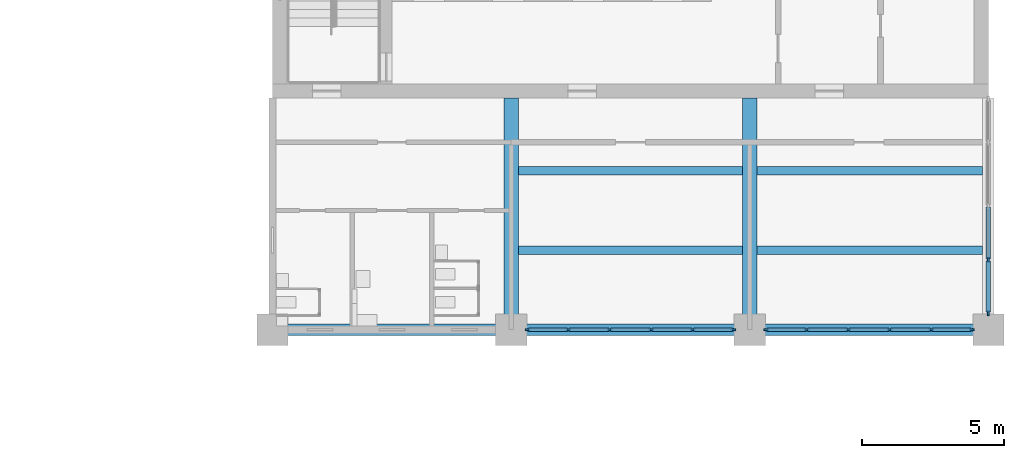
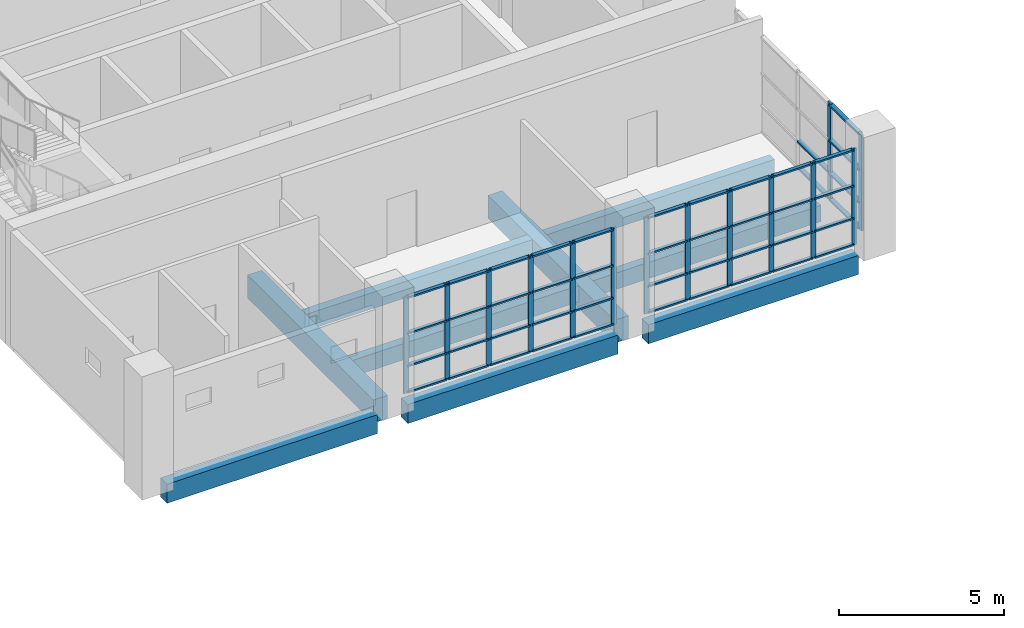
# One storey, part 10 of 64: 60 members, 9 beams, 3 elements without a shape of their own.
"""IFC4 building model written with IfcOpenShell, lengths in metres."""

from ifc_helpers import new_model, si_unit, direction, frame, origin, origin_2d, place, context, subcontext, project, spatial, rectangle, extrude, material, layer, layer_set, material_profile, profile_set, type_object, element, aggregate, save


model = new_model("IFC4")

# Units and contexts
model_context = context("Model", 3, precision=1e-05, world=origin(), true_north=direction((0.0, 1.0)))
body_context = subcontext(model_context, "Body", "Model", "MODEL_VIEW")
ifc_project = project(units=[si_unit("LENGTHUNIT", "METRE"), si_unit("AREAUNIT", "SQUARE_METRE"), si_unit("VOLUMEUNIT", "CUBIC_METRE"), si_unit("PLANEANGLEUNIT", "RADIAN"), si_unit("MASSUNIT", "GRAM", prefix="KILO")], contexts=[model_context])

# Site, building, storey
site_placement = place(None, origin())
site = spatial("IfcSite", under=ifc_project, at=site_placement, CompositionType="ELEMENT")
building_placement = place(site_placement, origin())
building = spatial("IfcBuilding", under=site, at=building_placement, Name="Rulbaag Community and Learning Centre", CompositionType="ELEMENT")
storey_placement = place(building_placement, frame((0.0, 0.0, 5.39990234375)))
storey = spatial("IfcBuildingStorey", under=building, at=storey_placement, Name="L01", CompositionType="ELEMENT", Elevation=5.39990234375)

# Beams
ifc_material_1 = material(Name="Concrete M40", Category="concrete")
ifc_material_profile_1 = material_profile(ifc_material_1, rectangle(XDim=0.39990234375, YDim=0.699951171875, at=origin_2d()), Name="RB400x700")
ifc_profile_set_1 = profile_set([ifc_material_profile_1], Name="Concrete M40")
beam_type_1 = type_object("IfcBeamType", Name="B17 Tower edge beam, lower zone 400x700 Concrete M40", PredefinedType="BEAM", material=ifc_profile_set_1)
beam_placement = place(storey_placement, frame((143.330078125, 84.0, -0.64990234375), z_axis=(1.0, 0.0, 0.0), x_axis=(0.0, 1.0, 0.0)))
element("IfcBeam", 1, at=beam_placement, inside=storey, type_object=beam_type_1, Name="BM-L01-18K-19K", PredefinedType="BEAM", context=body_context, shape_type="SweptSolid", body=[
    extrude(rectangle(XDim=0.39990234375, YDim=0.699951171875, at=origin_2d()), origin(), (0.0, 0.0, 1.0), 7.33984375),
])
for number, where, z_axis, x_axis, name in (
    (2, (151.72998046875, 84.0, -0.64990234375), (1.0, 0.0, 0.0), (0.0, 1.0, 0.0), "BM-L01-19K-20K"),
    (3, (160.1298828125, 84.0, -0.64990234375), (1.0, 0.0, 0.0), (0.0, 1.0, 0.0), "BM-L01-20K-21K"),
):
    element("IfcBeam", number, at=place(storey_placement, frame(where, z_axis=z_axis, x_axis=x_axis)), inside=storey, type_object=beam_type_1, Name=name, PredefinedType="BEAM", context=body_context, shape_type="SweptSolid", body=[
        extrude(rectangle(XDim=0.39990234375, YDim=0.699951171875, at=origin_2d()), origin(), (0.0, 0.0, 1.0), 7.340087890625),
    ])
ifc_material_profile_2 = material_profile(ifc_material_1, rectangle(XDim=0.5, YDim=0.85009765625, at=origin_2d()), Name="RB500x850")
ifc_profile_set_2 = profile_set([ifc_material_profile_2], Name="Concrete M40")
beam_type_2 = type_object("IfcBeamType", Name="B18 Core-framing beam, lower zone 500x850 Concrete M40", PredefinedType="BEAM", material=ifc_profile_set_2)
for number, where, z_axis, x_axis, name in (
    (4, (151.199951171875, 84.530029296875, -0.724853515625), (0.0, 1.0, 0.0), (-1.0, 0.0, 0.0), "BM-L01-19K-19L"),
    (5, (159.60009765625, 84.530029296875, -0.724853515625), (0.0, 1.0, 0.0), (-1.0, 0.0, 0.0), "BM-L01-20K-20L"),
):
    element("IfcBeam", number, at=place(storey_placement, frame(where, z_axis=z_axis, x_axis=x_axis)), inside=storey, type_object=beam_type_2, Name=name, PredefinedType="BEAM", context=body_context, shape_type="SweptSolid", body=[
        extrude(rectangle(XDim=0.5, YDim=0.85009765625, at=origin_2d()), origin(), (0.0, 0.0, 1.0), 7.619873046875),
    ])
ifc_material_profile_3 = material_profile(ifc_material_1, rectangle(XDim=0.300048828125, YDim=0.60009765625, at=origin_2d()), Name="RB300x600")
ifc_profile_set_3 = profile_set([ifc_material_profile_3], Name="Concrete M40")
beam_type_3 = type_object("IfcBeamType", Name="B30 Secondary joist 300x600 Concrete M40", PredefinedType="BEAM", material=ifc_profile_set_3)
for number, where, z_axis, x_axis, name in (
    (6, (151.449951171875, 86.800048828125, -0.599853515625), (1.0, 0.0, 0.0), (0.0, 1.0, 0.0), "BM-JS-L01-19K-1"),
    (7, (151.449951171875, 89.60009765625, -0.599853515625), (1.0, 0.0, 0.0), (0.0, 1.0, 0.0), "BM-JS-L01-19K-2"),
):
    element("IfcBeam", number, at=place(storey_placement, frame(where, z_axis=z_axis, x_axis=x_axis)), inside=storey, type_object=beam_type_3, Name=name, PredefinedType="BEAM", context=body_context, shape_type="SweptSolid", body=[
        extrude(rectangle(XDim=0.300048828125, YDim=0.60009765625, at=origin_2d()), origin(), (0.0, 0.0, 1.0), 7.900146484375),
    ])
for number, where, z_axis, x_axis, name in (
    (8, (159.85009765625, 86.800048828125, -0.599853515625), (1.0, 0.0, 0.0), (0.0, 1.0, 0.0), "BM-JS-L01-20K-1"),
    (9, (159.85009765625, 89.60009765625, -0.599853515625), (1.0, 0.0, 0.0), (0.0, 1.0, 0.0), "BM-JS-L01-20K-2"),
):
    element("IfcBeam", number, at=place(storey_placement, frame(where, z_axis=z_axis, x_axis=x_axis)), inside=storey, type_object=beam_type_3, Name=name, PredefinedType="BEAM", context=body_context, shape_type="SweptSolid", body=[
        extrude(rectangle(XDim=0.300048828125, YDim=0.60009765625, at=origin_2d()), origin(), (0.0, 0.0, 1.0), 7.949951171875),
    ])

# Curtain wall, members
ifc_material_2 = material(Name="Aluminium", Category="aluminium")
ifc_layer_1 = layer(ifc_material_2, 0.14990234375)
ifc_layer_set_1 = layer_set([ifc_layer_1], Name="CW-S")
curtain_wall_type_1 = type_object("IfcCurtainWallType", Name="CW-S", PredefinedType="USERDEFINED", material=ifc_layer_set_1)
curtain_wall_1_placement = place(storey_placement, origin())
curtain_wall_1 = element("IfcCurtainWall", 10, at=curtain_wall_1_placement, inside=storey, type_object=curtain_wall_type_1, Name="GS-L01-01", ObjectType="UNITISED CURTAIN WALL", PredefinedType="USERDEFINED")
ifc_material_3 = material(Name="Aluminium mullion", Category="aluminium")
ifc_material_profile_4 = material_profile(ifc_material_3, rectangle(XDim=0.06005859375, YDim=0.175048828125, at=origin_2d()), Name="AL 60x175")
ifc_profile_set_4 = profile_set([ifc_material_profile_4], Name="Aluminium mullion")
member_type_1 = type_object("IfcMemberType", Name="CW-S-MUL", PredefinedType="MULLION", material=ifc_profile_set_4)
member_1_placement = place(storey_placement, frame((151.780029296875, 84.0, 0.0), z_axis=(0.0, 0.0, 1.0), x_axis=(0.0, 1.0, 0.0)))
member_1 = element("IfcMember", 11, at=member_1_placement, type_object=member_type_1, Name="GS mullion 1", PredefinedType="MULLION", context=body_context, shape_type="SweptSolid", body=[
    extrude(rectangle(XDim=0.06005859375, YDim=0.175048828125, at=origin_2d()), origin(), (0.0, 0.0, 1.0), 3.550048828125),
])
member_2_placement = place(storey_placement, frame((153.2099609375, 84.0, 0.0), z_axis=(0.0, 0.0, 1.0), x_axis=(0.0, 1.0, 0.0)))
member_2 = element("IfcMember", 12, at=member_2_placement, type_object=member_type_1, Name="GS mullion 2", PredefinedType="MULLION", context=body_context, shape_type="SweptSolid", body=[
    extrude(rectangle(XDim=0.06005859375, YDim=0.175048828125, at=origin_2d()), origin(), (0.0, 0.0, 1.0), 3.550048828125),
])
member_3_placement = place(storey_placement, frame((154.669921875, 84.0, 0.0), z_axis=(0.0, 0.0, 1.0), x_axis=(0.0, 1.0, 0.0)))
member_3 = element("IfcMember", 13, at=member_3_placement, type_object=member_type_1, Name="GS mullion 3", PredefinedType="MULLION", context=body_context, shape_type="SweptSolid", body=[
    extrude(rectangle(XDim=0.06005859375, YDim=0.175048828125, at=origin_2d()), origin(), (0.0, 0.0, 1.0), 3.550048828125),
])
member_4_placement = place(storey_placement, frame((156.1298828125, 84.0, 0.0), z_axis=(0.0, 0.0, 1.0), x_axis=(0.0, 1.0, 0.0)))
member_4 = element("IfcMember", 14, at=member_4_placement, type_object=member_type_1, Name="GS mullion 4", PredefinedType="MULLION", context=body_context, shape_type="SweptSolid", body=[
    extrude(rectangle(XDim=0.06005859375, YDim=0.175048828125, at=origin_2d()), origin(), (0.0, 0.0, 1.0), 3.550048828125),
])
member_5_placement = place(storey_placement, frame((157.590087890625, 84.0, 0.0), z_axis=(0.0, 0.0, 1.0), x_axis=(0.0, 1.0, 0.0)))
member_5 = element("IfcMember", 15, at=member_5_placement, type_object=member_type_1, Name="GS mullion 5", PredefinedType="MULLION", context=body_context, shape_type="SweptSolid", body=[
    extrude(rectangle(XDim=0.06005859375, YDim=0.175048828125, at=origin_2d()), origin(), (0.0, 0.0, 1.0), 3.550048828125),
])
member_6_placement = place(storey_placement, frame((159.02001953125, 84.0, 0.0), z_axis=(0.0, 0.0, 1.0), x_axis=(0.0, 1.0, 0.0)))
member_6 = element("IfcMember", 16, at=member_6_placement, type_object=member_type_1, Name="GS mullion 6", PredefinedType="MULLION", context=body_context, shape_type="SweptSolid", body=[
    extrude(rectangle(XDim=0.06005859375, YDim=0.175048828125, at=origin_2d()), origin(), (0.0, 0.0, 1.0), 3.550048828125),
])

curtain_wall_2_placement = place(storey_placement, origin())
curtain_wall_2 = element("IfcCurtainWall", 17, at=curtain_wall_2_placement, inside=storey, type_object=curtain_wall_type_1, Name="GS-L01-02", ObjectType="UNITISED CURTAIN WALL", PredefinedType="USERDEFINED")
member_7_placement = place(storey_placement, frame((160.179931640625, 84.0, 0.0), z_axis=(0.0, 0.0, 1.0), x_axis=(0.0, 1.0, 0.0)))
member_7 = element("IfcMember", 18, at=member_7_placement, type_object=member_type_1, Name="GS mullion 1", PredefinedType="MULLION", context=body_context, shape_type="SweptSolid", body=[
    extrude(rectangle(XDim=0.06005859375, YDim=0.175048828125, at=origin_2d()), origin(), (0.0, 0.0, 1.0), 3.550048828125),
])
member_8_placement = place(storey_placement, frame((161.610107421875, 84.0, 0.0), z_axis=(0.0, 0.0, 1.0), x_axis=(0.0, 1.0, 0.0)))
member_8 = element("IfcMember", 19, at=member_8_placement, type_object=member_type_1, Name="GS mullion 2", PredefinedType="MULLION", context=body_context, shape_type="SweptSolid", body=[
    extrude(rectangle(XDim=0.06005859375, YDim=0.175048828125, at=origin_2d()), origin(), (0.0, 0.0, 1.0), 3.550048828125),
])
member_9_placement = place(storey_placement, frame((163.070068359375, 84.0, 0.0), z_axis=(0.0, 0.0, 1.0), x_axis=(0.0, 1.0, 0.0)))
member_9 = element("IfcMember", 20, at=member_9_placement, type_object=member_type_1, Name="GS mullion 3", PredefinedType="MULLION", context=body_context, shape_type="SweptSolid", body=[
    extrude(rectangle(XDim=0.06005859375, YDim=0.175048828125, at=origin_2d()), origin(), (0.0, 0.0, 1.0), 3.550048828125),
])
member_10_placement = place(storey_placement, frame((164.530029296875, 84.0, 0.0), z_axis=(0.0, 0.0, 1.0), x_axis=(0.0, 1.0, 0.0)))
member_10 = element("IfcMember", 21, at=member_10_placement, type_object=member_type_1, Name="GS mullion 4", PredefinedType="MULLION", context=body_context, shape_type="SweptSolid", body=[
    extrude(rectangle(XDim=0.06005859375, YDim=0.175048828125, at=origin_2d()), origin(), (0.0, 0.0, 1.0), 3.550048828125),
])
member_11_placement = place(storey_placement, frame((165.989990234375, 84.0, 0.0), z_axis=(0.0, 0.0, 1.0), x_axis=(0.0, 1.0, 0.0)))
member_11 = element("IfcMember", 22, at=member_11_placement, type_object=member_type_1, Name="GS mullion 5", PredefinedType="MULLION", context=body_context, shape_type="SweptSolid", body=[
    extrude(rectangle(XDim=0.06005859375, YDim=0.175048828125, at=origin_2d()), origin(), (0.0, 0.0, 1.0), 3.550048828125),
])
member_12_placement = place(storey_placement, frame((167.419921875, 84.0, 0.0), z_axis=(0.0, 0.0, 1.0), x_axis=(0.0, 1.0, 0.0)))
member_12 = element("IfcMember", 23, at=member_12_placement, type_object=member_type_1, Name="GS mullion 6", PredefinedType="MULLION", context=body_context, shape_type="SweptSolid", body=[
    extrude(rectangle(XDim=0.06005859375, YDim=0.175048828125, at=origin_2d()), origin(), (0.0, 0.0, 1.0), 3.550048828125),
])

# Member
ifc_material_4 = material(Name="Aluminium transom", Category="aluminium")
ifc_material_profile_5 = material_profile(ifc_material_4, rectangle(XDim=0.125, YDim=0.06005859375, at=origin_2d()), Name="AL 60x125 T")
ifc_profile_set_5 = profile_set([ifc_material_profile_5], Name="Aluminium transom")
member_type_2 = type_object("IfcMemberType", Name="CW-S-TRN", PredefinedType="USERDEFINED", material=ifc_profile_set_5)
member_13_placement = place(storey_placement, frame((151.81005859375, 84.0, 0.030029296875), z_axis=(1.0, 0.0, 0.0), x_axis=(0.0, 1.0, 0.0)))
member_13 = element("IfcMember", 24, at=member_13_placement, type_object=member_type_2, Name="GS transom 1.1", ObjectType="TRANSOM", PredefinedType="USERDEFINED", context=body_context, shape_type="SweptSolid", body=[
    extrude(rectangle(XDim=0.125, YDim=0.06005859375, at=origin_2d()), origin(), (0.0, 0.0, 1.0), 1.369873046875),
])

member_14_placement = place(storey_placement, frame((151.81005859375, 84.0, 1.0), z_axis=(1.0, 0.0, 0.0), x_axis=(0.0, 1.0, 0.0)))
member_14 = element("IfcMember", 25, at=member_14_placement, type_object=member_type_2, Name="GS transom 1.2", ObjectType="TRANSOM", PredefinedType="USERDEFINED", context=body_context, shape_type="SweptSolid", body=[
    extrude(rectangle(XDim=0.125, YDim=0.06005859375, at=origin_2d()), origin(), (0.0, 0.0, 1.0), 1.369873046875),
])

member_15_placement = place(storey_placement, frame((151.81005859375, 84.0, 2.2001953125), z_axis=(1.0, 0.0, 0.0), x_axis=(0.0, 1.0, 0.0)))
member_15 = element("IfcMember", 26, at=member_15_placement, type_object=member_type_2, Name="GS transom 1.3", ObjectType="TRANSOM", PredefinedType="USERDEFINED", context=body_context, shape_type="SweptSolid", body=[
    extrude(rectangle(XDim=0.125, YDim=0.06005859375, at=origin_2d()), origin(), (0.0, 0.0, 1.0), 1.369873046875),
])

member_16_placement = place(storey_placement, frame((151.81005859375, 84.0, 3.52001953125), z_axis=(1.0, 0.0, 0.0), x_axis=(0.0, 1.0, 0.0)))
member_16 = element("IfcMember", 27, at=member_16_placement, type_object=member_type_2, Name="GS transom 1.4", ObjectType="TRANSOM", PredefinedType="USERDEFINED", context=body_context, shape_type="SweptSolid", body=[
    extrude(rectangle(XDim=0.125, YDim=0.06005859375, at=origin_2d()), origin(), (0.0, 0.0, 1.0), 1.369873046875),
])

member_17_placement = place(storey_placement, frame((153.239990234375, 84.0, 0.030029296875), z_axis=(1.0, 0.0, 0.0), x_axis=(0.0, 1.0, 0.0)))
member_17 = element("IfcMember", 28, at=member_17_placement, type_object=member_type_2, Name="GS transom 2.1", ObjectType="TRANSOM", PredefinedType="USERDEFINED", context=body_context, shape_type="SweptSolid", body=[
    extrude(rectangle(XDim=0.125, YDim=0.06005859375, at=origin_2d()), origin(), (0.0, 0.0, 1.0), 1.39990234375),
])

member_18_placement = place(storey_placement, frame((153.239990234375, 84.0, 1.0), z_axis=(1.0, 0.0, 0.0), x_axis=(0.0, 1.0, 0.0)))
member_18 = element("IfcMember", 29, at=member_18_placement, type_object=member_type_2, Name="GS transom 2.2", ObjectType="TRANSOM", PredefinedType="USERDEFINED", context=body_context, shape_type="SweptSolid", body=[
    extrude(rectangle(XDim=0.125, YDim=0.06005859375, at=origin_2d()), origin(), (0.0, 0.0, 1.0), 1.39990234375),
])

member_19_placement = place(storey_placement, frame((153.239990234375, 84.0, 2.2001953125), z_axis=(1.0, 0.0, 0.0), x_axis=(0.0, 1.0, 0.0)))
member_19 = element("IfcMember", 30, at=member_19_placement, type_object=member_type_2, Name="GS transom 2.3", ObjectType="TRANSOM", PredefinedType="USERDEFINED", context=body_context, shape_type="SweptSolid", body=[
    extrude(rectangle(XDim=0.125, YDim=0.06005859375, at=origin_2d()), origin(), (0.0, 0.0, 1.0), 1.39990234375),
])

member_20_placement = place(storey_placement, frame((153.239990234375, 84.0, 3.52001953125), z_axis=(1.0, 0.0, 0.0), x_axis=(0.0, 1.0, 0.0)))
member_20 = element("IfcMember", 31, at=member_20_placement, type_object=member_type_2, Name="GS transom 2.4", ObjectType="TRANSOM", PredefinedType="USERDEFINED", context=body_context, shape_type="SweptSolid", body=[
    extrude(rectangle(XDim=0.125, YDim=0.06005859375, at=origin_2d()), origin(), (0.0, 0.0, 1.0), 1.39990234375),
])

member_21_placement = place(storey_placement, frame((154.699951171875, 84.0, 0.030029296875), z_axis=(1.0, 0.0, 0.0), x_axis=(0.0, 1.0, 0.0)))
member_21 = element("IfcMember", 32, at=member_21_placement, type_object=member_type_2, Name="GS transom 3.1", ObjectType="TRANSOM", PredefinedType="USERDEFINED", context=body_context, shape_type="SweptSolid", body=[
    extrude(rectangle(XDim=0.125, YDim=0.06005859375, at=origin_2d()), origin(), (0.0, 0.0, 1.0), 1.400146484375),
])

member_22_placement = place(storey_placement, frame((154.699951171875, 84.0, 1.0), z_axis=(1.0, 0.0, 0.0), x_axis=(0.0, 1.0, 0.0)))
member_22 = element("IfcMember", 33, at=member_22_placement, type_object=member_type_2, Name="GS transom 3.2", ObjectType="TRANSOM", PredefinedType="USERDEFINED", context=body_context, shape_type="SweptSolid", body=[
    extrude(rectangle(XDim=0.125, YDim=0.06005859375, at=origin_2d()), origin(), (0.0, 0.0, 1.0), 1.400146484375),
])

member_23_placement = place(storey_placement, frame((154.699951171875, 84.0, 2.2001953125), z_axis=(1.0, 0.0, 0.0), x_axis=(0.0, 1.0, 0.0)))
member_23 = element("IfcMember", 34, at=member_23_placement, type_object=member_type_2, Name="GS transom 3.3", ObjectType="TRANSOM", PredefinedType="USERDEFINED", context=body_context, shape_type="SweptSolid", body=[
    extrude(rectangle(XDim=0.125, YDim=0.06005859375, at=origin_2d()), origin(), (0.0, 0.0, 1.0), 1.400146484375),
])

member_24_placement = place(storey_placement, frame((154.699951171875, 84.0, 3.52001953125), z_axis=(1.0, 0.0, 0.0), x_axis=(0.0, 1.0, 0.0)))
member_24 = element("IfcMember", 35, at=member_24_placement, type_object=member_type_2, Name="GS transom 3.4", ObjectType="TRANSOM", PredefinedType="USERDEFINED", context=body_context, shape_type="SweptSolid", body=[
    extrude(rectangle(XDim=0.125, YDim=0.06005859375, at=origin_2d()), origin(), (0.0, 0.0, 1.0), 1.400146484375),
])

member_25_placement = place(storey_placement, frame((156.159912109375, 84.0, 0.030029296875), z_axis=(1.0, 0.0, 0.0), x_axis=(0.0, 1.0, 0.0)))
member_25 = element("IfcMember", 36, at=member_25_placement, type_object=member_type_2, Name="GS transom 4.1", ObjectType="TRANSOM", PredefinedType="USERDEFINED", context=body_context, shape_type="SweptSolid", body=[
    extrude(rectangle(XDim=0.125, YDim=0.06005859375, at=origin_2d()), origin(), (0.0, 0.0, 1.0), 1.400146484375),
])

member_26_placement = place(storey_placement, frame((156.159912109375, 84.0, 1.0), z_axis=(1.0, 0.0, 0.0), x_axis=(0.0, 1.0, 0.0)))
member_26 = element("IfcMember", 37, at=member_26_placement, type_object=member_type_2, Name="GS transom 4.2", ObjectType="TRANSOM", PredefinedType="USERDEFINED", context=body_context, shape_type="SweptSolid", body=[
    extrude(rectangle(XDim=0.125, YDim=0.06005859375, at=origin_2d()), origin(), (0.0, 0.0, 1.0), 1.400146484375),
])

member_27_placement = place(storey_placement, frame((156.159912109375, 84.0, 2.2001953125), z_axis=(1.0, 0.0, 0.0), x_axis=(0.0, 1.0, 0.0)))
member_27 = element("IfcMember", 38, at=member_27_placement, type_object=member_type_2, Name="GS transom 4.3", ObjectType="TRANSOM", PredefinedType="USERDEFINED", context=body_context, shape_type="SweptSolid", body=[
    extrude(rectangle(XDim=0.125, YDim=0.06005859375, at=origin_2d()), origin(), (0.0, 0.0, 1.0), 1.400146484375),
])

member_28_placement = place(storey_placement, frame((156.159912109375, 84.0, 3.52001953125), z_axis=(1.0, 0.0, 0.0), x_axis=(0.0, 1.0, 0.0)))
member_28 = element("IfcMember", 39, at=member_28_placement, type_object=member_type_2, Name="GS transom 4.4", ObjectType="TRANSOM", PredefinedType="USERDEFINED", context=body_context, shape_type="SweptSolid", body=[
    extrude(rectangle(XDim=0.125, YDim=0.06005859375, at=origin_2d()), origin(), (0.0, 0.0, 1.0), 1.400146484375),
])

member_29_placement = place(storey_placement, frame((157.6201171875, 84.0, 0.030029296875), z_axis=(1.0, 0.0, 0.0), x_axis=(0.0, 1.0, 0.0)))
member_29 = element("IfcMember", 40, at=member_29_placement, type_object=member_type_2, Name="GS transom 5.1", ObjectType="TRANSOM", PredefinedType="USERDEFINED", context=body_context, shape_type="SweptSolid", body=[
    extrude(rectangle(XDim=0.125, YDim=0.06005859375, at=origin_2d()), origin(), (0.0, 0.0, 1.0), 1.369873046875),
])

member_30_placement = place(storey_placement, frame((157.6201171875, 84.0, 1.0), z_axis=(1.0, 0.0, 0.0), x_axis=(0.0, 1.0, 0.0)))
member_30 = element("IfcMember", 41, at=member_30_placement, type_object=member_type_2, Name="GS transom 5.2", ObjectType="TRANSOM", PredefinedType="USERDEFINED", context=body_context, shape_type="SweptSolid", body=[
    extrude(rectangle(XDim=0.125, YDim=0.06005859375, at=origin_2d()), origin(), (0.0, 0.0, 1.0), 1.369873046875),
])

member_31_placement = place(storey_placement, frame((157.6201171875, 84.0, 2.2001953125), z_axis=(1.0, 0.0, 0.0), x_axis=(0.0, 1.0, 0.0)))
member_31 = element("IfcMember", 42, at=member_31_placement, type_object=member_type_2, Name="GS transom 5.3", ObjectType="TRANSOM", PredefinedType="USERDEFINED", context=body_context, shape_type="SweptSolid", body=[
    extrude(rectangle(XDim=0.125, YDim=0.06005859375, at=origin_2d()), origin(), (0.0, 0.0, 1.0), 1.369873046875),
])

member_32_placement = place(storey_placement, frame((157.6201171875, 84.0, 3.52001953125), z_axis=(1.0, 0.0, 0.0), x_axis=(0.0, 1.0, 0.0)))
member_32 = element("IfcMember", 43, at=member_32_placement, type_object=member_type_2, Name="GS transom 5.4", ObjectType="TRANSOM", PredefinedType="USERDEFINED", context=body_context, shape_type="SweptSolid", body=[
    extrude(rectangle(XDim=0.125, YDim=0.06005859375, at=origin_2d()), origin(), (0.0, 0.0, 1.0), 1.369873046875),
])

aggregate(curtain_wall_1, [member_1, member_2, member_3, member_4, member_5, member_6, member_13, member_14, member_15, member_16, member_17, member_18, member_19, member_20, member_21, member_22, member_23, member_24, member_25, member_26, member_27, member_28, member_29, member_30, member_31, member_32])

member_33_placement = place(storey_placement, frame((160.2099609375, 84.0, 0.030029296875), z_axis=(1.0, 0.0, 0.0), x_axis=(0.0, 1.0, 0.0)))
member_33 = element("IfcMember", 44, at=member_33_placement, type_object=member_type_2, Name="GS transom 1.1", ObjectType="TRANSOM", PredefinedType="USERDEFINED", context=body_context, shape_type="SweptSolid", body=[
    extrude(rectangle(XDim=0.125, YDim=0.06005859375, at=origin_2d()), origin(), (0.0, 0.0, 1.0), 1.3701171875),
])

member_34_placement = place(storey_placement, frame((160.2099609375, 84.0, 1.0), z_axis=(1.0, 0.0, 0.0), x_axis=(0.0, 1.0, 0.0)))
member_34 = element("IfcMember", 45, at=member_34_placement, type_object=member_type_2, Name="GS transom 1.2", ObjectType="TRANSOM", PredefinedType="USERDEFINED", context=body_context, shape_type="SweptSolid", body=[
    extrude(rectangle(XDim=0.125, YDim=0.06005859375, at=origin_2d()), origin(), (0.0, 0.0, 1.0), 1.3701171875),
])

member_35_placement = place(storey_placement, frame((160.2099609375, 84.0, 2.2001953125), z_axis=(1.0, 0.0, 0.0), x_axis=(0.0, 1.0, 0.0)))
member_35 = element("IfcMember", 46, at=member_35_placement, type_object=member_type_2, Name="GS transom 1.3", ObjectType="TRANSOM", PredefinedType="USERDEFINED", context=body_context, shape_type="SweptSolid", body=[
    extrude(rectangle(XDim=0.125, YDim=0.06005859375, at=origin_2d()), origin(), (0.0, 0.0, 1.0), 1.3701171875),
])

member_36_placement = place(storey_placement, frame((160.2099609375, 84.0, 3.52001953125), z_axis=(1.0, 0.0, 0.0), x_axis=(0.0, 1.0, 0.0)))
member_36 = element("IfcMember", 47, at=member_36_placement, type_object=member_type_2, Name="GS transom 1.4", ObjectType="TRANSOM", PredefinedType="USERDEFINED", context=body_context, shape_type="SweptSolid", body=[
    extrude(rectangle(XDim=0.125, YDim=0.06005859375, at=origin_2d()), origin(), (0.0, 0.0, 1.0), 1.3701171875),
])

member_37_placement = place(storey_placement, frame((161.639892578125, 84.0, 0.030029296875), z_axis=(1.0, 0.0, 0.0), x_axis=(0.0, 1.0, 0.0)))
member_37 = element("IfcMember", 48, at=member_37_placement, type_object=member_type_2, Name="GS transom 2.1", ObjectType="TRANSOM", PredefinedType="USERDEFINED", context=body_context, shape_type="SweptSolid", body=[
    extrude(rectangle(XDim=0.125, YDim=0.06005859375, at=origin_2d()), origin(), (0.0, 0.0, 1.0), 1.400146484375),
])

member_38_placement = place(storey_placement, frame((161.639892578125, 84.0, 1.0), z_axis=(1.0, 0.0, 0.0), x_axis=(0.0, 1.0, 0.0)))
member_38 = element("IfcMember", 49, at=member_38_placement, type_object=member_type_2, Name="GS transom 2.2", ObjectType="TRANSOM", PredefinedType="USERDEFINED", context=body_context, shape_type="SweptSolid", body=[
    extrude(rectangle(XDim=0.125, YDim=0.06005859375, at=origin_2d()), origin(), (0.0, 0.0, 1.0), 1.400146484375),
])

member_39_placement = place(storey_placement, frame((161.639892578125, 84.0, 2.2001953125), z_axis=(1.0, 0.0, 0.0), x_axis=(0.0, 1.0, 0.0)))
member_39 = element("IfcMember", 50, at=member_39_placement, type_object=member_type_2, Name="GS transom 2.3", ObjectType="TRANSOM", PredefinedType="USERDEFINED", context=body_context, shape_type="SweptSolid", body=[
    extrude(rectangle(XDim=0.125, YDim=0.06005859375, at=origin_2d()), origin(), (0.0, 0.0, 1.0), 1.400146484375),
])

member_40_placement = place(storey_placement, frame((161.639892578125, 84.0, 3.52001953125), z_axis=(1.0, 0.0, 0.0), x_axis=(0.0, 1.0, 0.0)))
member_40 = element("IfcMember", 51, at=member_40_placement, type_object=member_type_2, Name="GS transom 2.4", ObjectType="TRANSOM", PredefinedType="USERDEFINED", context=body_context, shape_type="SweptSolid", body=[
    extrude(rectangle(XDim=0.125, YDim=0.06005859375, at=origin_2d()), origin(), (0.0, 0.0, 1.0), 1.400146484375),
])

member_41_placement = place(storey_placement, frame((163.10009765625, 84.0, 0.030029296875), z_axis=(1.0, 0.0, 0.0), x_axis=(0.0, 1.0, 0.0)))
member_41 = element("IfcMember", 52, at=member_41_placement, type_object=member_type_2, Name="GS transom 3.1", ObjectType="TRANSOM", PredefinedType="USERDEFINED", context=body_context, shape_type="SweptSolid", body=[
    extrude(rectangle(XDim=0.125, YDim=0.06005859375, at=origin_2d()), origin(), (0.0, 0.0, 1.0), 1.39990234375),
])

member_42_placement = place(storey_placement, frame((163.10009765625, 84.0, 1.0), z_axis=(1.0, 0.0, 0.0), x_axis=(0.0, 1.0, 0.0)))
member_42 = element("IfcMember", 53, at=member_42_placement, type_object=member_type_2, Name="GS transom 3.2", ObjectType="TRANSOM", PredefinedType="USERDEFINED", context=body_context, shape_type="SweptSolid", body=[
    extrude(rectangle(XDim=0.125, YDim=0.06005859375, at=origin_2d()), origin(), (0.0, 0.0, 1.0), 1.39990234375),
])

member_43_placement = place(storey_placement, frame((163.10009765625, 84.0, 2.2001953125), z_axis=(1.0, 0.0, 0.0), x_axis=(0.0, 1.0, 0.0)))
member_43 = element("IfcMember", 54, at=member_43_placement, type_object=member_type_2, Name="GS transom 3.3", ObjectType="TRANSOM", PredefinedType="USERDEFINED", context=body_context, shape_type="SweptSolid", body=[
    extrude(rectangle(XDim=0.125, YDim=0.06005859375, at=origin_2d()), origin(), (0.0, 0.0, 1.0), 1.39990234375),
])

member_44_placement = place(storey_placement, frame((163.10009765625, 84.0, 3.52001953125), z_axis=(1.0, 0.0, 0.0), x_axis=(0.0, 1.0, 0.0)))
member_44 = element("IfcMember", 55, at=member_44_placement, type_object=member_type_2, Name="GS transom 3.4", ObjectType="TRANSOM", PredefinedType="USERDEFINED", context=body_context, shape_type="SweptSolid", body=[
    extrude(rectangle(XDim=0.125, YDim=0.06005859375, at=origin_2d()), origin(), (0.0, 0.0, 1.0), 1.39990234375),
])

member_45_placement = place(storey_placement, frame((164.56005859375, 84.0, 0.030029296875), z_axis=(1.0, 0.0, 0.0), x_axis=(0.0, 1.0, 0.0)))
member_45 = element("IfcMember", 56, at=member_45_placement, type_object=member_type_2, Name="GS transom 4.1", ObjectType="TRANSOM", PredefinedType="USERDEFINED", context=body_context, shape_type="SweptSolid", body=[
    extrude(rectangle(XDim=0.125, YDim=0.06005859375, at=origin_2d()), origin(), (0.0, 0.0, 1.0), 1.39990234375),
])

member_46_placement = place(storey_placement, frame((164.56005859375, 84.0, 1.0), z_axis=(1.0, 0.0, 0.0), x_axis=(0.0, 1.0, 0.0)))
member_46 = element("IfcMember", 57, at=member_46_placement, type_object=member_type_2, Name="GS transom 4.2", ObjectType="TRANSOM", PredefinedType="USERDEFINED", context=body_context, shape_type="SweptSolid", body=[
    extrude(rectangle(XDim=0.125, YDim=0.06005859375, at=origin_2d()), origin(), (0.0, 0.0, 1.0), 1.39990234375),
])

member_47_placement = place(storey_placement, frame((164.56005859375, 84.0, 2.2001953125), z_axis=(1.0, 0.0, 0.0), x_axis=(0.0, 1.0, 0.0)))
member_47 = element("IfcMember", 58, at=member_47_placement, type_object=member_type_2, Name="GS transom 4.3", ObjectType="TRANSOM", PredefinedType="USERDEFINED", context=body_context, shape_type="SweptSolid", body=[
    extrude(rectangle(XDim=0.125, YDim=0.06005859375, at=origin_2d()), origin(), (0.0, 0.0, 1.0), 1.39990234375),
])

member_48_placement = place(storey_placement, frame((164.56005859375, 84.0, 3.52001953125), z_axis=(1.0, 0.0, 0.0), x_axis=(0.0, 1.0, 0.0)))
member_48 = element("IfcMember", 59, at=member_48_placement, type_object=member_type_2, Name="GS transom 4.4", ObjectType="TRANSOM", PredefinedType="USERDEFINED", context=body_context, shape_type="SweptSolid", body=[
    extrude(rectangle(XDim=0.125, YDim=0.06005859375, at=origin_2d()), origin(), (0.0, 0.0, 1.0), 1.39990234375),
])

member_49_placement = place(storey_placement, frame((166.02001953125, 84.0, 0.030029296875), z_axis=(1.0, 0.0, 0.0), x_axis=(0.0, 1.0, 0.0)))
member_49 = element("IfcMember", 60, at=member_49_placement, type_object=member_type_2, Name="GS transom 5.1", ObjectType="TRANSOM", PredefinedType="USERDEFINED", context=body_context, shape_type="SweptSolid", body=[
    extrude(rectangle(XDim=0.125, YDim=0.06005859375, at=origin_2d()), origin(), (0.0, 0.0, 1.0), 1.369873046875),
])

member_50_placement = place(storey_placement, frame((166.02001953125, 84.0, 1.0), z_axis=(1.0, 0.0, 0.0), x_axis=(0.0, 1.0, 0.0)))
member_50 = element("IfcMember", 61, at=member_50_placement, type_object=member_type_2, Name="GS transom 5.2", ObjectType="TRANSOM", PredefinedType="USERDEFINED", context=body_context, shape_type="SweptSolid", body=[
    extrude(rectangle(XDim=0.125, YDim=0.06005859375, at=origin_2d()), origin(), (0.0, 0.0, 1.0), 1.369873046875),
])

member_51_placement = place(storey_placement, frame((166.02001953125, 84.0, 2.2001953125), z_axis=(1.0, 0.0, 0.0), x_axis=(0.0, 1.0, 0.0)))
member_51 = element("IfcMember", 62, at=member_51_placement, type_object=member_type_2, Name="GS transom 5.3", ObjectType="TRANSOM", PredefinedType="USERDEFINED", context=body_context, shape_type="SweptSolid", body=[
    extrude(rectangle(XDim=0.125, YDim=0.06005859375, at=origin_2d()), origin(), (0.0, 0.0, 1.0), 1.369873046875),
])

member_52_placement = place(storey_placement, frame((166.02001953125, 84.0, 3.52001953125), z_axis=(1.0, 0.0, 0.0), x_axis=(0.0, 1.0, 0.0)))
member_52 = element("IfcMember", 63, at=member_52_placement, type_object=member_type_2, Name="GS transom 5.4", ObjectType="TRANSOM", PredefinedType="USERDEFINED", context=body_context, shape_type="SweptSolid", body=[
    extrude(rectangle(XDim=0.125, YDim=0.06005859375, at=origin_2d()), origin(), (0.0, 0.0, 1.0), 1.369873046875),
])

aggregate(curtain_wall_2, [member_7, member_8, member_9, member_10, member_11, member_12, member_33, member_34, member_35, member_36, member_37, member_38, member_39, member_40, member_41, member_42, member_43, member_44, member_45, member_46, member_47, member_48, member_49, member_50, member_51, member_52])

# Curtain wall, members
ifc_layer_2 = layer(ifc_material_2, 0.14990234375)
ifc_layer_set_2 = layer_set([ifc_layer_2], Name="CW-T")
curtain_wall_type_2 = type_object("IfcCurtainWallType", Name="CW-T", PredefinedType="USERDEFINED", material=ifc_layer_set_2)
curtain_wall_3_placement = place(storey_placement, origin())
curtain_wall_3 = element("IfcCurtainWall", 64, at=curtain_wall_3_placement, inside=storey, type_object=curtain_wall_type_2, Name="GT-L01-05", ObjectType="UNITISED CURTAIN WALL", PredefinedType="USERDEFINED")
ifc_material_profile_6 = material_profile(ifc_material_3, rectangle(XDim=0.06494140625, YDim=0.199951171875, at=origin_2d()), Name="AL 65x200")
ifc_profile_set_6 = profile_set([ifc_material_profile_6], Name="Aluminium mullion")
member_type_3 = type_object("IfcMemberType", Name="CW-T-MUL", PredefinedType="MULLION", material=ifc_profile_set_6)
member_53_placement = place(storey_placement, frame((168.0, 84.58251953125, 0.0), z_axis=(0.0, 0.0, 1.0), x_axis=(-1.0, 0.0, 0.0)))
member_53 = element("IfcMember", 65, at=member_53_placement, type_object=member_type_3, Name="GT mullion 1", PredefinedType="MULLION", context=body_context, shape_type="SweptSolid", body=[
    extrude(rectangle(XDim=0.06494140625, YDim=0.199951171875, at=origin_2d()), origin(), (0.0, 0.0, 1.0), 3.550048828125),
])
member_54_placement = place(storey_placement, frame((168.0, 86.449951171875, 0.0), z_axis=(0.0, 0.0, 1.0), x_axis=(-1.0, 0.0, 0.0)))
member_54 = element("IfcMember", 66, at=member_54_placement, type_object=member_type_3, Name="GT mullion 2", PredefinedType="MULLION", context=body_context, shape_type="SweptSolid", body=[
    extrude(rectangle(XDim=0.06494140625, YDim=0.199951171875, at=origin_2d()), origin(), (0.0, 0.0, 1.0), 3.550048828125),
])
ifc_material_profile_7 = material_profile(ifc_material_4, rectangle(XDim=0.14990234375, YDim=0.06494140625, at=origin_2d()), Name="AL 65x150 T")
ifc_profile_set_7 = profile_set([ifc_material_profile_7], Name="Aluminium transom")
member_type_4 = type_object("IfcMemberType", Name="CW-T-TRN", PredefinedType="USERDEFINED", material=ifc_profile_set_7)
member_55_placement = place(storey_placement, frame((168.0, 84.614990234375, 0.03271484375), z_axis=(0.0, 1.0, 0.0), x_axis=(-1.0, 0.0, 0.0)))
member_55 = element("IfcMember", 67, at=member_55_placement, type_object=member_type_4, Name="GT transom 1.1", ObjectType="TRANSOM", PredefinedType="USERDEFINED", context=body_context, shape_type="SweptSolid", body=[
    extrude(rectangle(XDim=0.14990234375, YDim=0.06494140625, at=origin_2d()), origin(), (0.0, 0.0, 1.0), 1.802490234375),
])
member_56_placement = place(storey_placement, frame((168.0, 84.614990234375, 1.0), z_axis=(0.0, 1.0, 0.0), x_axis=(-1.0, 0.0, 0.0)))
member_56 = element("IfcMember", 68, at=member_56_placement, type_object=member_type_4, Name="GT transom 1.2", ObjectType="TRANSOM", PredefinedType="USERDEFINED", context=body_context, shape_type="SweptSolid", body=[
    extrude(rectangle(XDim=0.14990234375, YDim=0.06494140625, at=origin_2d()), origin(), (0.0, 0.0, 1.0), 1.802490234375),
])
member_57_placement = place(storey_placement, frame((168.0, 84.614990234375, 2.2001953125), z_axis=(0.0, 1.0, 0.0), x_axis=(-1.0, 0.0, 0.0)))
member_57 = element("IfcMember", 69, at=member_57_placement, type_object=member_type_4, Name="GT transom 1.3", ObjectType="TRANSOM", PredefinedType="USERDEFINED", context=body_context, shape_type="SweptSolid", body=[
    extrude(rectangle(XDim=0.14990234375, YDim=0.06494140625, at=origin_2d()), origin(), (0.0, 0.0, 1.0), 1.802490234375),
])
member_58_placement = place(storey_placement, frame((168.0, 84.614990234375, 3.517578125), z_axis=(0.0, 1.0, 0.0), x_axis=(-1.0, 0.0, 0.0)))
member_58 = element("IfcMember", 70, at=member_58_placement, type_object=member_type_4, Name="GT transom 1.4", ObjectType="TRANSOM", PredefinedType="USERDEFINED", context=body_context, shape_type="SweptSolid", body=[
    extrude(rectangle(XDim=0.14990234375, YDim=0.06494140625, at=origin_2d()), origin(), (0.0, 0.0, 1.0), 1.802490234375),
])
member_59_placement = place(storey_placement, frame((168.0, 86.482421875, 0.03271484375), z_axis=(0.0, 1.0, 0.0), x_axis=(-1.0, 0.0, 0.0)))
member_59 = element("IfcMember", 71, at=member_59_placement, type_object=member_type_4, Name="GT transom 2.1", ObjectType="TRANSOM", PredefinedType="USERDEFINED", context=body_context, shape_type="SweptSolid", body=[
    extrude(rectangle(XDim=0.14990234375, YDim=0.06494140625, at=origin_2d()), origin(), (0.0, 0.0, 1.0), 1.8349609375),
])
member_60_placement = place(storey_placement, frame((168.0, 86.482421875, 1.0), z_axis=(0.0, 1.0, 0.0), x_axis=(-1.0, 0.0, 0.0)))
member_60 = element("IfcMember", 72, at=member_60_placement, type_object=member_type_4, Name="GT transom 2.2", ObjectType="TRANSOM", PredefinedType="USERDEFINED", context=body_context, shape_type="SweptSolid", body=[
    extrude(rectangle(XDim=0.14990234375, YDim=0.06494140625, at=origin_2d()), origin(), (0.0, 0.0, 1.0), 1.8349609375),
])
aggregate(curtain_wall_3, [member_53, member_54, member_55, member_56, member_57, member_58, member_59, member_60])

save(model, "model.ifc")
